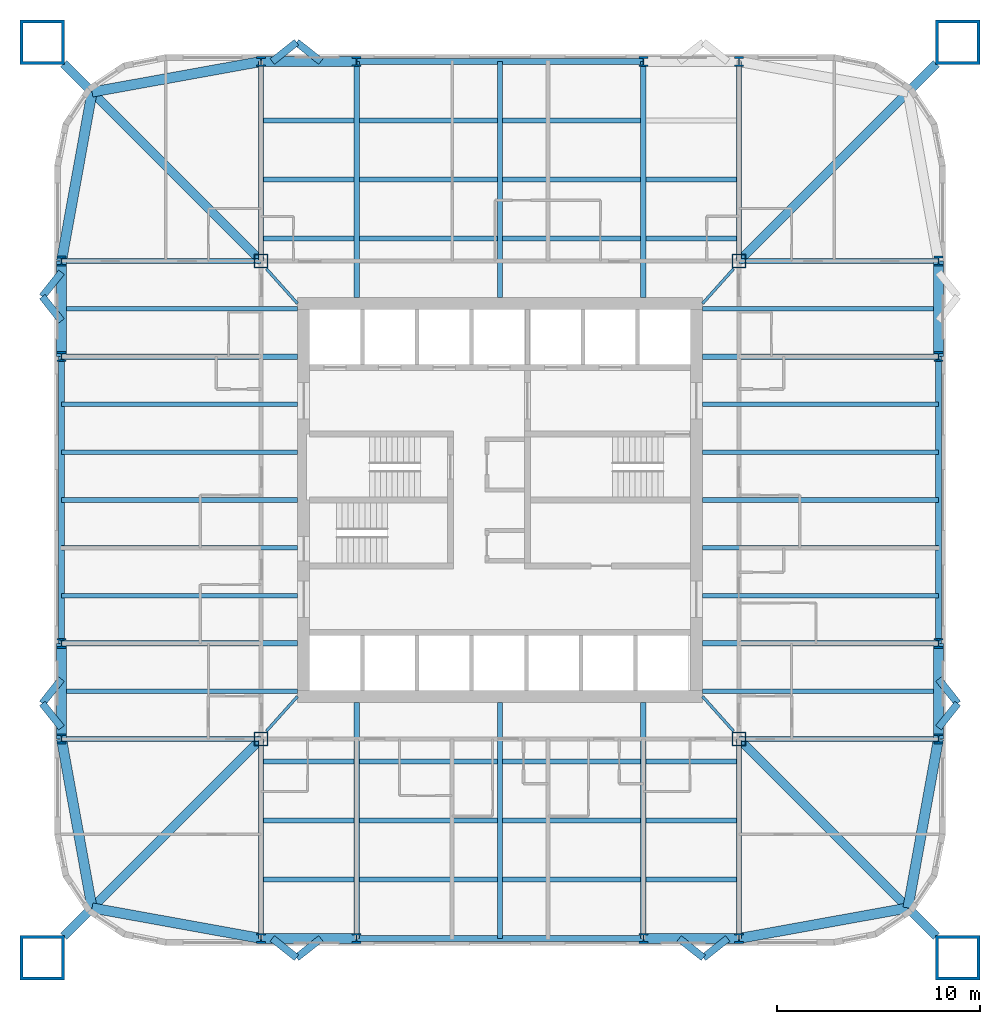
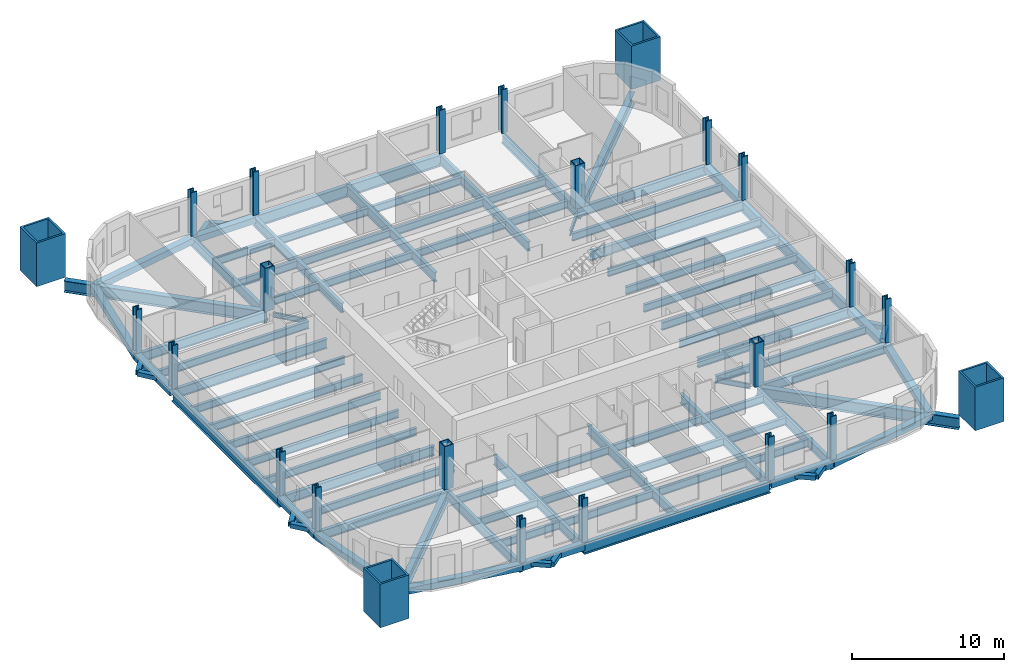
# One storey, part 1 of 10: 92 beams, 24 columns.
"""IFC4 building model written with IfcOpenShell, lengths in metres."""

from ifc_helpers import new_model, si_unit, direction, frame, origin, origin_2d, place, context, subcontext, project, spatial, hollow_rectangle, i_section, extrude, material, material_profile, profile_set, type_object, element, save


model = new_model("IFC4")

# Units and contexts
model_context = context("Model", 3, precision=1e-05, world=origin(), true_north=direction((0.0, 1.0)))
body_context = subcontext(model_context, "Body", "Model", "MODEL_VIEW")
ifc_project = project(units=[si_unit("LENGTHUNIT", "METRE"), si_unit("AREAUNIT", "SQUARE_METRE"), si_unit("VOLUMEUNIT", "CUBIC_METRE"), si_unit("PLANEANGLEUNIT", "RADIAN"), si_unit("MASSUNIT", "GRAM", prefix="KILO")], contexts=[model_context])

# Site, building, storey
site_placement = place(None, origin())
site = spatial("IfcSite", under=ifc_project, at=site_placement, CompositionType="ELEMENT")
building_placement = place(site_placement, origin())
building = spatial("IfcBuilding", under=site, at=building_placement, Name="Turquesa Mirador Hotel Tower", CompositionType="ELEMENT")
storey_placement = place(building_placement, frame((0.0, 0.0, 70.5)))
storey = spatial("IfcBuildingStorey", under=building, at=storey_placement, Name="L18", CompositionType="ELEMENT", Elevation=70.5)

# Columns
ifc_material_1 = material(Name="Steel ASTM A572 Grade 50", Category="steel")
ifc_material_profile_1 = material_profile(ifc_material_1, hollow_rectangle(XDim=0.699951171875, YDim=0.699951171875, WallThickness=0.06005859375, at=origin_2d()), Name="BOX700X700X60")
ifc_profile_set_1 = profile_set([ifc_material_profile_1], Name="Steel ASTM A572 Grade 50")
column_type_1 = type_object("IfcColumnType", Name="COLUMN BOX700X700X60", PredefinedType="COLUMN", material=ifc_profile_set_1)
for number, where, z_axis, x_axis, name in (
    (1, (43.199951171875, 33.199951171875, 0.0), (0.0, 0.0, 1.0), (1.0, 0.0, 0.0), "COL-L18-K--11.80--11.80"),
    (2, (43.199951171875, 56.800048828125, 0.0), (0.0, 0.0, 1.0), (1.0, 0.0, 0.0), "COL-L18-K--11.80-+11.80"),
    (3, (66.800048828125, 33.199951171875, 0.0), (0.0, 0.0, 1.0), (1.0, 0.0, 0.0), "COL-L18-K-+11.80--11.80"),
    (4, (66.800048828125, 56.800048828125, 0.0), (0.0, 0.0, 1.0), (1.0, 0.0, 0.0), "COL-L18-K-+11.80-+11.80"),
):
    element("IfcColumn", number, at=place(storey_placement, frame(where, z_axis=z_axis, x_axis=x_axis)), inside=storey, type_object=column_type_1, Name=name, PredefinedType="COLUMN", context=body_context, shape_type="SweptSolid", body=[
        extrude(hollow_rectangle(XDim=0.699951171875, YDim=0.699951171875, WallThickness=0.06005859375, at=origin_2d()), origin(), (0.0, 0.0, 1.0), 3.5),
    ])
ifc_material_2 = material(Name="Steel ASTM A992 Grade 50", Category="steel")
ifc_material_profile_2 = material_profile(ifc_material_2, i_section(OverallWidth=0.431884765625, OverallDepth=0.497802734375, WebThickness=0.0556640625, FlangeThickness=0.0888671875, at=origin_2d()), Name="W14X500")
ifc_profile_set_2 = profile_set([ifc_material_profile_2], Name="Steel ASTM A992 Grade 50")
column_type_2 = type_object("IfcColumnType", Name="COLUMN W14X500", PredefinedType="COLUMN", material=ifc_profile_set_2)
for number, where, z_axis, x_axis, name in (
    (5, (33.35009765625, 33.199951171875, 0.0), (0.0, 0.0, 1.0), (1.0, 0.0, 0.0), "COL-L18-P--21.65--11.80"),
    (6, (33.35009765625, 37.919921875, 0.0), (0.0, 0.0, 1.0), (1.0, 0.0, 0.0), "COL-L18-P--21.65--7.08"),
    (7, (33.35009765625, 52.080078125, 0.0), (0.0, 0.0, 1.0), (1.0, 0.0, 0.0), "COL-L18-P--21.65-+7.08"),
    (8, (33.35009765625, 56.800048828125, 0.0), (0.0, 0.0, 1.0), (1.0, 0.0, 0.0), "COL-L18-P--21.65-+11.80"),
    (9, (43.199951171875, 23.35009765625, 0.0), (0.0, 0.0, 1.0), (1.0, 0.0, 0.0), "COL-L18-P--11.80--21.65"),
    (10, (43.199951171875, 66.64990234375, 0.0), (0.0, 0.0, 1.0), (1.0, 0.0, 0.0), "COL-L18-P--11.80-+21.65"),
    (11, (47.919921875, 23.35009765625, 0.0), (0.0, 0.0, 1.0), (1.0, 0.0, 0.0), "COL-L18-P--7.08--21.65"),
    (12, (47.919921875, 66.64990234375, 0.0), (0.0, 0.0, 1.0), (1.0, 0.0, 0.0), "COL-L18-P--7.08-+21.65"),
    (13, (62.080078125, 23.35009765625, 0.0), (0.0, 0.0, 1.0), (1.0, 0.0, 0.0), "COL-L18-P-+7.08--21.65"),
    (14, (62.080078125, 66.64990234375, 0.0), (0.0, 0.0, 1.0), (1.0, 0.0, 0.0), "COL-L18-P-+7.08-+21.65"),
    (15, (66.800048828125, 23.35009765625, 0.0), (0.0, 0.0, 1.0), (1.0, 0.0, 0.0), "COL-L18-P-+11.80--21.65"),
    (16, (66.800048828125, 66.64990234375, 0.0), (0.0, 0.0, 1.0), (1.0, 0.0, 0.0), "COL-L18-P-+11.80-+21.65"),
    (17, (76.64990234375, 33.199951171875, 0.0), (0.0, 0.0, 1.0), (1.0, 0.0, 0.0), "COL-L18-P-+21.65--11.80"),
    (18, (76.64990234375, 37.919921875, 0.0), (0.0, 0.0, 1.0), (1.0, 0.0, 0.0), "COL-L18-P-+21.65--7.08"),
    (19, (76.64990234375, 52.080078125, 0.0), (0.0, 0.0, 1.0), (1.0, 0.0, 0.0), "COL-L18-P-+21.65-+7.08"),
    (20, (76.64990234375, 56.800048828125, 0.0), (0.0, 0.0, 1.0), (1.0, 0.0, 0.0), "COL-L18-P-+21.65-+11.80"),
):
    element("IfcColumn", number, at=place(storey_placement, frame(where, z_axis=z_axis, x_axis=x_axis)), inside=storey, type_object=column_type_2, Name=name, PredefinedType="COLUMN", context=body_context, shape_type="SweptSolid", body=[
        extrude(i_section(OverallWidth=0.431884765625, OverallDepth=0.497802734375, WebThickness=0.0556640625, FlangeThickness=0.0888671875, at=origin_2d()), origin(), (0.0, 0.0, 1.0), 3.5),
    ])
ifc_material_3 = material(Name="Steel ASTM A514 Grade Q", Category="steel")
ifc_material_profile_3 = material_profile(ifc_material_3, hollow_rectangle(XDim=2.199951171875, YDim=2.199951171875, WallThickness=0.14990234375, at=origin_2d()), Name="BOX2200X2200X150")
ifc_profile_set_3 = profile_set([ifc_material_profile_3], Name="Steel ASTM A514 Grade Q")
column_type_3 = type_object("IfcColumnType", Name="MEGA COLUMN BOX2200X2200X150", PredefinedType="COLUMN", material=ifc_profile_set_3)
for number, where, z_axis, x_axis, name in (
    (21, (77.60009765625, 67.60009765625, 0.0), (0.0, 0.0, 1.0), (1.0, 0.0, 0.0), "Mega column M1"),
    (22, (32.39990234375, 67.60009765625, 0.0), (0.0, 0.0, 1.0), (1.0, 0.0, 0.0), "Mega column M2"),
    (23, (32.39990234375, 22.39990234375, 0.0), (0.0, 0.0, 1.0), (1.0, 0.0, 0.0), "Mega column M3"),
    (24, (77.60009765625, 22.39990234375, 0.0), (0.0, 0.0, 1.0), (1.0, 0.0, 0.0), "Mega column M4"),
):
    element("IfcColumn", number, at=place(storey_placement, frame(where, z_axis=z_axis, x_axis=x_axis)), inside=storey, type_object=column_type_3, Name=name, PredefinedType="COLUMN", context=body_context, shape_type="SweptSolid", body=[
        extrude(hollow_rectangle(XDim=2.199951171875, YDim=2.199951171875, WallThickness=0.14990234375, at=origin_2d()), origin(), (0.0, 0.0, 1.0), 3.5),
    ])

# Beams
ifc_material_4 = material(Name="Steel ASTM A572 Grade 50", Category="steel")
ifc_material_profile_4 = material_profile(ifc_material_4, hollow_rectangle(XDim=0.5, YDim=0.5, WallThickness=0.01611328125, at=origin_2d()), Name="BOX500X500X16")
ifc_profile_set_4 = profile_set([ifc_material_profile_4], Name="Steel ASTM A572 Grade 50")
beam_type_1 = type_object("IfcBeamType", Name="BEAM BOX500X500X16", PredefinedType="BEAM", material=ifc_profile_set_4)
for number, where, z_axis, x_axis, name in (
    (25, (43.199951171875, 66.64990234375, -0.419921875), (1.0, 0.0, 0.0), (0.0, 1.0, 0.0), "EB-L18-N-L"),
    (26, (43.199951171875, 23.35009765625, -0.419921875), (1.0, 0.0, 0.0), (0.0, 1.0, 0.0), "EB-L18-S-L"),
    (27, (62.080078125, 23.35009765625, -0.419921875), (1.0, 0.0, 0.0), (0.0, 1.0, 0.0), "EB-L18-S-R"),
    (28, (76.64990234375, 33.199951171875, -0.419921875), (0.0, 1.0, 0.0), (-1.0, 0.0, 0.0), "EB-L18-E-L"),
    (29, (76.64990234375, 52.080078125, -0.419921875), (0.0, 1.0, 0.0), (-1.0, 0.0, 0.0), "EB-L18-E-R"),
    (30, (33.35009765625, 33.199951171875, -0.419921875), (0.0, 1.0, 0.0), (-1.0, 0.0, 0.0), "EB-L18-W-L"),
    (31, (33.35009765625, 52.080078125, -0.419921875), (0.0, 1.0, 0.0), (-1.0, 0.0, 0.0), "EB-L18-W-R"),
):
    element("IfcBeam", number, at=place(storey_placement, frame(where, z_axis=z_axis, x_axis=x_axis)), inside=storey, type_object=beam_type_1, Name=name, PredefinedType="BEAM", context=body_context, shape_type="SweptSolid", body=[
        extrude(hollow_rectangle(XDim=0.5, YDim=0.5, WallThickness=0.01611328125, at=origin_2d()), origin(), (0.0, 0.0, 1.0), 4.719970703125),
    ])
for number, where, z_axis, x_axis, name in (
    (32, (33.35009765625, 56.800048828125, -0.419921875), (0.177932387818, 0.984042715214, 0.0), (-0.984042715214, 0.177932387818, 0.0), "KE-L18-2-0"),
    (33, (34.8583984375, 65.1416015625, -0.419921875), (0.984042715214, 0.177932387818, 0.0), (-0.177932387818, 0.984042715214, 0.0), "KE-L18-2-1"),
    (34, (33.35009765625, 33.199951171875, -0.419921875), (0.177932387818, -0.984042715214, 0.0), (0.984042715214, 0.177932387818, 0.0), "KE-L18-3-0"),
    (35, (34.8583984375, 24.8583984375, -0.419921875), (0.984042715214, -0.177932387818, 0.0), (0.177932387818, 0.984042715214, 0.0), "KE-L18-3-1"),
    (36, (76.64990234375, 33.199951171875, -0.419921875), (-0.177932387818, -0.984042715214, 0.0), (0.984042715214, -0.177932387818, 0.0), "KE-L18-4-0"),
    (37, (75.1416015625, 24.8583984375, -0.419921875), (-0.984042715214, -0.177932387818, 0.0), (0.177932387818, -0.984042715214, 0.0), "KE-L18-4-1"),
):
    element("IfcBeam", number, at=place(storey_placement, frame(where, z_axis=z_axis, x_axis=x_axis)), inside=storey, type_object=beam_type_1, Name=name, PredefinedType="BEAM", context=body_context, shape_type="SweptSolid", body=[
        extrude(hollow_rectangle(XDim=0.5, YDim=0.5, WallThickness=0.01611328125, at=origin_2d()), origin(), (0.0, 0.0, 1.0), 8.476806640625),
    ])
ifc_material_5 = material(Name="Steel ASTM A992 Grade 50", Category="steel")
ifc_material_profile_5 = material_profile(ifc_material_5, i_section(OverallWidth=0.140380859375, OverallDepth=0.40380859375, WebThickness=0.007080078125, FlangeThickness=0.01123046875, at=origin_2d()), Name="W16X31")
ifc_profile_set_5 = profile_set([ifc_material_profile_5], Name="Steel ASTM A992 Grade 50")
beam_type_2 = type_object("IfcBeamType", Name="BEAM W16X31", PredefinedType="BEAM", material=ifc_profile_set_5)
for number, where, z_axis, x_axis, name in (
    (38, (66.529541015625, 56.40966796875, -0.371826171875), (-0.666745084392, -0.745285846129, 0.0), (0.745285846129, -0.666745084392, 0.0), "KT-L18-1"),
    (39, (43.470458984375, 56.40966796875, -0.371826171875), (0.666745084392, -0.745285846129, 0.0), (0.745285846129, 0.666745084392, 0.0), "KT-L18-2"),
    (40, (43.470458984375, 33.59033203125, -0.371826171875), (0.666745084392, 0.745285846129, 0.0), (-0.745285846129, 0.666745084392, 0.0), "KT-L18-3"),
    (41, (66.529541015625, 33.59033203125, -0.371826171875), (-0.666745084392, 0.745285846129, 0.0), (-0.745285846129, -0.666745084392, 0.0), "KT-L18-4"),
):
    element("IfcBeam", number, at=place(storey_placement, frame(where, z_axis=z_axis, x_axis=x_axis)), inside=storey, type_object=beam_type_2, Name=name, PredefinedType="BEAM", context=body_context, shape_type="SweptSolid", body=[
        extrude(i_section(OverallWidth=0.140380859375, OverallDepth=0.40380859375, WebThickness=0.007080078125, FlangeThickness=0.01123046875, at=origin_2d()), origin(), (0.0, 0.0, 1.0), 2.2939453125),
    ])
ifc_material_6 = material(Name="Steel ASTM A992 Grade 50", Category="steel")
ifc_material_profile_6 = material_profile(ifc_material_6, i_section(OverallWidth=0.228271484375, OverallDepth=0.607177734375, WebThickness=0.01123046875, FlangeThickness=0.017333984375, at=origin_2d()), Name="W24X76")
ifc_profile_set_6 = profile_set([ifc_material_profile_6], Name="Steel ASTM A992 Grade 50")
beam_type_3 = type_object("IfcBeamType", Name="BEAM W24X76", PredefinedType="BEAM", material=ifc_profile_set_6)
beam_1_placement = place(storey_placement, frame((43.333251953125, 57.912109375, -0.4736328125), z_axis=(1.0, 0.0, 0.0), x_axis=(0.0, 1.0, 0.0)))
element("IfcBeam", 42, at=beam_1_placement, inside=storey, type_object=beam_type_3, Name="IB-L18-N-1-0", PredefinedType="BEAM", context=body_context, shape_type="SweptSolid", body=[
    extrude(i_section(OverallWidth=0.228271484375, OverallDepth=0.607177734375, WebThickness=0.01123046875, FlangeThickness=0.017333984375, at=origin_2d()), origin(), (0.0, 0.0, 1.0), 4.453369140625),
])
for number, where, z_axis, x_axis, name in (
    (43, (48.053466796875, 57.912109375, -0.4736328125), (1.0, 0.0, 0.0), (0.0, 1.0, 0.0), "IB-L18-N-1-1"),
    (44, (55.13330078125, 57.912109375, -0.4736328125), (1.0, 0.0, 0.0), (0.0, 1.0, 0.0), "IB-L18-N-1-2"),
):
    element("IfcBeam", number, at=place(storey_placement, frame(where, z_axis=z_axis, x_axis=x_axis)), inside=storey, type_object=beam_type_3, Name=name, PredefinedType="BEAM", context=body_context, shape_type="SweptSolid", body=[
        extrude(i_section(OverallWidth=0.228271484375, OverallDepth=0.607177734375, WebThickness=0.01123046875, FlangeThickness=0.017333984375, at=origin_2d()), origin(), (0.0, 0.0, 1.0), 6.813232421875),
    ])
for number, where, z_axis, x_axis, name in (
    (45, (62.21337890625, 57.912109375, -0.4736328125), (1.0, 0.0, 0.0), (0.0, 1.0, 0.0), "IB-L18-N-1-3"),
    (46, (43.333251953125, 60.824951171875, -0.4736328125), (1.0, 0.0, 0.0), (0.0, 1.0, 0.0), "IB-L18-N-2-0"),
):
    element("IfcBeam", number, at=place(storey_placement, frame(where, z_axis=z_axis, x_axis=x_axis)), inside=storey, type_object=beam_type_3, Name=name, PredefinedType="BEAM", context=body_context, shape_type="SweptSolid", body=[
        extrude(i_section(OverallWidth=0.228271484375, OverallDepth=0.607177734375, WebThickness=0.01123046875, FlangeThickness=0.017333984375, at=origin_2d()), origin(), (0.0, 0.0, 1.0), 4.453369140625),
    ])
for number, where, z_axis, x_axis, name in (
    (47, (48.053466796875, 60.824951171875, -0.4736328125), (1.0, 0.0, 0.0), (0.0, 1.0, 0.0), "IB-L18-N-2-1"),
    (48, (55.13330078125, 60.824951171875, -0.4736328125), (1.0, 0.0, 0.0), (0.0, 1.0, 0.0), "IB-L18-N-2-2"),
):
    element("IfcBeam", number, at=place(storey_placement, frame(where, z_axis=z_axis, x_axis=x_axis)), inside=storey, type_object=beam_type_3, Name=name, PredefinedType="BEAM", context=body_context, shape_type="SweptSolid", body=[
        extrude(i_section(OverallWidth=0.228271484375, OverallDepth=0.607177734375, WebThickness=0.01123046875, FlangeThickness=0.017333984375, at=origin_2d()), origin(), (0.0, 0.0, 1.0), 6.813232421875),
    ])
for number, where, z_axis, x_axis, name in (
    (49, (62.21337890625, 60.824951171875, -0.4736328125), (1.0, 0.0, 0.0), (0.0, 1.0, 0.0), "IB-L18-N-2-3"),
    (50, (43.333251953125, 63.737060546875, -0.4736328125), (1.0, 0.0, 0.0), (0.0, 1.0, 0.0), "IB-L18-N-3-0"),
):
    element("IfcBeam", number, at=place(storey_placement, frame(where, z_axis=z_axis, x_axis=x_axis)), inside=storey, type_object=beam_type_3, Name=name, PredefinedType="BEAM", context=body_context, shape_type="SweptSolid", body=[
        extrude(i_section(OverallWidth=0.228271484375, OverallDepth=0.607177734375, WebThickness=0.01123046875, FlangeThickness=0.017333984375, at=origin_2d()), origin(), (0.0, 0.0, 1.0), 4.453369140625),
    ])
for number, where, z_axis, x_axis, name in (
    (51, (48.053466796875, 63.737060546875, -0.4736328125), (1.0, 0.0, 0.0), (0.0, 1.0, 0.0), "IB-L18-N-3-1"),
    (52, (55.13330078125, 63.737060546875, -0.4736328125), (1.0, 0.0, 0.0), (0.0, 1.0, 0.0), "IB-L18-N-3-2"),
):
    element("IfcBeam", number, at=place(storey_placement, frame(where, z_axis=z_axis, x_axis=x_axis)), inside=storey, type_object=beam_type_3, Name=name, PredefinedType="BEAM", context=body_context, shape_type="SweptSolid", body=[
        extrude(i_section(OverallWidth=0.228271484375, OverallDepth=0.607177734375, WebThickness=0.01123046875, FlangeThickness=0.017333984375, at=origin_2d()), origin(), (0.0, 0.0, 1.0), 6.813232421875),
    ])
beam_2_placement = place(storey_placement, frame((43.333251953125, 32.087890625, -0.4736328125), z_axis=(1.0, 0.0, 0.0), x_axis=(0.0, 1.0, 0.0)))
element("IfcBeam", 53, at=beam_2_placement, inside=storey, type_object=beam_type_3, Name="IB-L18-S-1-0", PredefinedType="BEAM", context=body_context, shape_type="SweptSolid", body=[
    extrude(i_section(OverallWidth=0.228271484375, OverallDepth=0.607177734375, WebThickness=0.01123046875, FlangeThickness=0.017333984375, at=origin_2d()), origin(), (0.0, 0.0, 1.0), 4.453369140625),
])
for number, where, z_axis, x_axis, name in (
    (54, (48.053466796875, 32.087890625, -0.4736328125), (1.0, 0.0, 0.0), (0.0, 1.0, 0.0), "IB-L18-S-1-1"),
    (55, (55.13330078125, 32.087890625, -0.4736328125), (1.0, 0.0, 0.0), (0.0, 1.0, 0.0), "IB-L18-S-1-2"),
):
    element("IfcBeam", number, at=place(storey_placement, frame(where, z_axis=z_axis, x_axis=x_axis)), inside=storey, type_object=beam_type_3, Name=name, PredefinedType="BEAM", context=body_context, shape_type="SweptSolid", body=[
        extrude(i_section(OverallWidth=0.228271484375, OverallDepth=0.607177734375, WebThickness=0.01123046875, FlangeThickness=0.017333984375, at=origin_2d()), origin(), (0.0, 0.0, 1.0), 6.813232421875),
    ])
for number, where, z_axis, x_axis, name in (
    (56, (62.21337890625, 32.087890625, -0.4736328125), (1.0, 0.0, 0.0), (0.0, 1.0, 0.0), "IB-L18-S-1-3"),
    (57, (43.333251953125, 29.175048828125, -0.4736328125), (1.0, 0.0, 0.0), (0.0, 1.0, 0.0), "IB-L18-S-2-0"),
):
    element("IfcBeam", number, at=place(storey_placement, frame(where, z_axis=z_axis, x_axis=x_axis)), inside=storey, type_object=beam_type_3, Name=name, PredefinedType="BEAM", context=body_context, shape_type="SweptSolid", body=[
        extrude(i_section(OverallWidth=0.228271484375, OverallDepth=0.607177734375, WebThickness=0.01123046875, FlangeThickness=0.017333984375, at=origin_2d()), origin(), (0.0, 0.0, 1.0), 4.453369140625),
    ])
for number, where, z_axis, x_axis, name in (
    (58, (48.053466796875, 29.175048828125, -0.4736328125), (1.0, 0.0, 0.0), (0.0, 1.0, 0.0), "IB-L18-S-2-1"),
    (59, (55.13330078125, 29.175048828125, -0.4736328125), (1.0, 0.0, 0.0), (0.0, 1.0, 0.0), "IB-L18-S-2-2"),
):
    element("IfcBeam", number, at=place(storey_placement, frame(where, z_axis=z_axis, x_axis=x_axis)), inside=storey, type_object=beam_type_3, Name=name, PredefinedType="BEAM", context=body_context, shape_type="SweptSolid", body=[
        extrude(i_section(OverallWidth=0.228271484375, OverallDepth=0.607177734375, WebThickness=0.01123046875, FlangeThickness=0.017333984375, at=origin_2d()), origin(), (0.0, 0.0, 1.0), 6.813232421875),
    ])
for number, where, z_axis, x_axis, name in (
    (60, (62.21337890625, 29.175048828125, -0.4736328125), (1.0, 0.0, 0.0), (0.0, 1.0, 0.0), "IB-L18-S-2-3"),
    (61, (43.333251953125, 26.262939453125, -0.4736328125), (1.0, 0.0, 0.0), (0.0, 1.0, 0.0), "IB-L18-S-3-0"),
):
    element("IfcBeam", number, at=place(storey_placement, frame(where, z_axis=z_axis, x_axis=x_axis)), inside=storey, type_object=beam_type_3, Name=name, PredefinedType="BEAM", context=body_context, shape_type="SweptSolid", body=[
        extrude(i_section(OverallWidth=0.228271484375, OverallDepth=0.607177734375, WebThickness=0.01123046875, FlangeThickness=0.017333984375, at=origin_2d()), origin(), (0.0, 0.0, 1.0), 4.453369140625),
    ])
for number, where, z_axis, x_axis, name in (
    (62, (48.053466796875, 26.262939453125, -0.4736328125), (1.0, 0.0, 0.0), (0.0, 1.0, 0.0), "IB-L18-S-3-1"),
    (63, (55.13330078125, 26.262939453125, -0.4736328125), (1.0, 0.0, 0.0), (0.0, 1.0, 0.0), "IB-L18-S-3-2"),
):
    element("IfcBeam", number, at=place(storey_placement, frame(where, z_axis=z_axis, x_axis=x_axis)), inside=storey, type_object=beam_type_3, Name=name, PredefinedType="BEAM", context=body_context, shape_type="SweptSolid", body=[
        extrude(i_section(OverallWidth=0.228271484375, OverallDepth=0.607177734375, WebThickness=0.01123046875, FlangeThickness=0.017333984375, at=origin_2d()), origin(), (0.0, 0.0, 1.0), 6.813232421875),
    ])
beam_3_placement = place(storey_placement, frame((62.21337890625, 26.262939453125, -0.4736328125), z_axis=(1.0, 0.0, 0.0), x_axis=(0.0, 1.0, 0.0)))
element("IfcBeam", 64, at=beam_3_placement, inside=storey, type_object=beam_type_3, Name="IB-L18-S-3-3", PredefinedType="BEAM", context=body_context, shape_type="SweptSolid", body=[
    extrude(i_section(OverallWidth=0.228271484375, OverallDepth=0.607177734375, WebThickness=0.01123046875, FlangeThickness=0.017333984375, at=origin_2d()), origin(), (0.0, 0.0, 1.0), 4.453369140625),
])
for number, where, z_axis, x_axis, name in (
    (65, (76.64990234375, 35.56005859375, -0.4736328125), (-1.0, 0.0, 0.0), (0.0, -1.0, 0.0), "BM-L18-E--9.44"),
    (66, (76.64990234375, 40.280029296875, -0.4736328125), (-1.0, 0.0, 0.0), (0.0, -1.0, 0.0), "BM-L18-E--4.72"),
    (67, (76.64990234375, 42.639892578125, -0.4736328125), (-1.0, 0.0, 0.0), (0.0, -1.0, 0.0), "BM-L18-E--2.36"),
    (68, (76.64990234375, 45.0, -0.4736328125), (-1.0, 0.0, 0.0), (0.0, -1.0, 0.0), "BM-L18-E-+0.00"),
    (69, (76.64990234375, 47.360107421875, -0.4736328125), (-1.0, 0.0, 0.0), (0.0, -1.0, 0.0), "BM-L18-E-+2.36"),
    (70, (76.64990234375, 49.719970703125, -0.4736328125), (-1.0, 0.0, 0.0), (0.0, -1.0, 0.0), "BM-L18-E-+4.72"),
    (71, (76.64990234375, 54.43994140625, -0.4736328125), (-1.0, 0.0, 0.0), (0.0, -1.0, 0.0), "BM-L18-E-+9.44"),
    (72, (33.35009765625, 35.56005859375, -0.4736328125), (1.0, 0.0, 0.0), (0.0, 1.0, 0.0), "BM-L18-W--9.44"),
    (73, (33.35009765625, 40.280029296875, -0.4736328125), (1.0, 0.0, 0.0), (0.0, 1.0, 0.0), "BM-L18-W--4.72"),
    (74, (33.35009765625, 42.639892578125, -0.4736328125), (1.0, 0.0, 0.0), (0.0, 1.0, 0.0), "BM-L18-W--2.36"),
    (75, (33.35009765625, 45.0, -0.4736328125), (1.0, 0.0, 0.0), (0.0, 1.0, 0.0), "BM-L18-W-+0.00"),
    (76, (33.35009765625, 47.360107421875, -0.4736328125), (1.0, 0.0, 0.0), (0.0, 1.0, 0.0), "BM-L18-W-+2.36"),
    (77, (33.35009765625, 49.719970703125, -0.4736328125), (1.0, 0.0, 0.0), (0.0, 1.0, 0.0), "BM-L18-W-+4.72"),
    (78, (33.35009765625, 54.43994140625, -0.4736328125), (1.0, 0.0, 0.0), (0.0, 1.0, 0.0), "BM-L18-W-+9.44"),
):
    element("IfcBeam", number, at=place(storey_placement, frame(where, z_axis=z_axis, x_axis=x_axis)), inside=storey, type_object=beam_type_3, Name=name, PredefinedType="BEAM", context=body_context, shape_type="SweptSolid", body=[
        extrude(i_section(OverallWidth=0.228271484375, OverallDepth=0.607177734375, WebThickness=0.01123046875, FlangeThickness=0.017333984375, at=origin_2d()), origin(), (0.0, 0.0, 1.0), 11.64990234375),
    ])
ifc_material_7 = material(Name="Steel ASTM A992 Grade 50", Category="steel")
ifc_material_profile_7 = material_profile(ifc_material_7, i_section(OverallWidth=0.2666015625, OverallDepth=0.7568359375, WebThickness=0.013916015625, FlangeThickness=0.019287109375, at=origin_2d()), Name="W30X108")
ifc_profile_set_7 = profile_set([ifc_material_profile_7], Name="Steel ASTM A992 Grade 50")
beam_type_4 = type_object("IfcBeamType", Name="BEAM W30X108", PredefinedType="BEAM", material=ifc_profile_set_7)
for number, where, z_axis, x_axis, name in (
    (79, (47.919921875, 66.64990234375, -0.54833984375), (0.0, -1.0, 0.0), (1.0, 0.0, 0.0), "GD-L18-N--7.08"),
    (80, (62.080078125, 66.64990234375, -0.54833984375), (0.0, -1.0, 0.0), (1.0, 0.0, 0.0), "GD-L18-N-+7.08"),
    (81, (55.0, 66.64990234375, -0.54833984375), (0.0, -1.0, 0.0), (1.0, 0.0, 0.0), "GD-L18-N-+0.00"),
):
    element("IfcBeam", number, at=place(storey_placement, frame(where, z_axis=z_axis, x_axis=x_axis)), inside=storey, type_object=beam_type_4, Name=name, PredefinedType="BEAM", context=body_context, shape_type="SweptSolid", body=[
        extrude(i_section(OverallWidth=0.2666015625, OverallDepth=0.7568359375, WebThickness=0.013916015625, FlangeThickness=0.019287109375, at=origin_2d()), origin(), (0.0, 0.0, 1.0), 11.64990234375),
    ])
for number, where, z_axis, x_axis, name in (
    (82, (43.199951171875, 66.64990234375, -0.54833984375), (0.0, -1.0, 0.0), (1.0, 0.0, 0.0), "GK-L18-N--11.80"),
    (83, (66.800048828125, 66.64990234375, -0.54833984375), (0.0, -1.0, 0.0), (1.0, 0.0, 0.0), "GK-L18-N-+11.80"),
):
    element("IfcBeam", number, at=place(storey_placement, frame(where, z_axis=z_axis, x_axis=x_axis)), inside=storey, type_object=beam_type_4, Name=name, PredefinedType="BEAM", context=body_context, shape_type="SweptSolid", body=[
        extrude(i_section(OverallWidth=0.2666015625, OverallDepth=0.7568359375, WebThickness=0.013916015625, FlangeThickness=0.019287109375, at=origin_2d()), origin(), (0.0, 0.0, 1.0), 9.849853515625),
    ])
for number, where, z_axis, x_axis, name in (
    (84, (47.919921875, 23.35009765625, -0.54833984375), (0.0, 1.0, 0.0), (-1.0, 0.0, 0.0), "GD-L18-S--7.08"),
    (85, (62.080078125, 23.35009765625, -0.54833984375), (0.0, 1.0, 0.0), (-1.0, 0.0, 0.0), "GD-L18-S-+7.08"),
    (86, (55.0, 23.35009765625, -0.54833984375), (0.0, 1.0, 0.0), (-1.0, 0.0, 0.0), "GD-L18-S-+0.00"),
):
    element("IfcBeam", number, at=place(storey_placement, frame(where, z_axis=z_axis, x_axis=x_axis)), inside=storey, type_object=beam_type_4, Name=name, PredefinedType="BEAM", context=body_context, shape_type="SweptSolid", body=[
        extrude(i_section(OverallWidth=0.2666015625, OverallDepth=0.7568359375, WebThickness=0.013916015625, FlangeThickness=0.019287109375, at=origin_2d()), origin(), (0.0, 0.0, 1.0), 11.64990234375),
    ])
for number, where, z_axis, x_axis, name in (
    (87, (43.199951171875, 23.35009765625, -0.54833984375), (0.0, 1.0, 0.0), (-1.0, 0.0, 0.0), "GK-L18-S--11.80"),
    (88, (66.800048828125, 23.35009765625, -0.54833984375), (0.0, 1.0, 0.0), (-1.0, 0.0, 0.0), "GK-L18-S-+11.80"),
):
    element("IfcBeam", number, at=place(storey_placement, frame(where, z_axis=z_axis, x_axis=x_axis)), inside=storey, type_object=beam_type_4, Name=name, PredefinedType="BEAM", context=body_context, shape_type="SweptSolid", body=[
        extrude(i_section(OverallWidth=0.2666015625, OverallDepth=0.7568359375, WebThickness=0.013916015625, FlangeThickness=0.019287109375, at=origin_2d()), origin(), (0.0, 0.0, 1.0), 9.849853515625),
    ])
for number, where, z_axis, x_axis, name in (
    (89, (76.64990234375, 37.919921875, -0.54833984375), (-1.0, 0.0, 0.0), (0.0, -1.0, 0.0), "GD-L18-E--7.08"),
    (90, (76.64990234375, 52.080078125, -0.54833984375), (-1.0, 0.0, 0.0), (0.0, -1.0, 0.0), "GD-L18-E-+7.08"),
):
    element("IfcBeam", number, at=place(storey_placement, frame(where, z_axis=z_axis, x_axis=x_axis)), inside=storey, type_object=beam_type_4, Name=name, PredefinedType="BEAM", context=body_context, shape_type="SweptSolid", body=[
        extrude(i_section(OverallWidth=0.2666015625, OverallDepth=0.7568359375, WebThickness=0.013916015625, FlangeThickness=0.019287109375, at=origin_2d()), origin(), (0.0, 0.0, 1.0), 11.64990234375),
    ])
for number, where, z_axis, x_axis, name in (
    (91, (76.64990234375, 33.199951171875, -0.54833984375), (-1.0, 0.0, 0.0), (0.0, -1.0, 0.0), "GK-L18-E--11.80"),
    (92, (76.64990234375, 56.800048828125, -0.54833984375), (-1.0, 0.0, 0.0), (0.0, -1.0, 0.0), "GK-L18-E-+11.80"),
):
    element("IfcBeam", number, at=place(storey_placement, frame(where, z_axis=z_axis, x_axis=x_axis)), inside=storey, type_object=beam_type_4, Name=name, PredefinedType="BEAM", context=body_context, shape_type="SweptSolid", body=[
        extrude(i_section(OverallWidth=0.2666015625, OverallDepth=0.7568359375, WebThickness=0.013916015625, FlangeThickness=0.019287109375, at=origin_2d()), origin(), (0.0, 0.0, 1.0), 9.849853515625),
    ])
for number, where, z_axis, x_axis, name in (
    (93, (33.35009765625, 37.919921875, -0.54833984375), (1.0, 0.0, 0.0), (0.0, 1.0, 0.0), "GD-L18-W--7.08"),
    (94, (33.35009765625, 52.080078125, -0.54833984375), (1.0, 0.0, 0.0), (0.0, 1.0, 0.0), "GD-L18-W-+7.08"),
):
    element("IfcBeam", number, at=place(storey_placement, frame(where, z_axis=z_axis, x_axis=x_axis)), inside=storey, type_object=beam_type_4, Name=name, PredefinedType="BEAM", context=body_context, shape_type="SweptSolid", body=[
        extrude(i_section(OverallWidth=0.2666015625, OverallDepth=0.7568359375, WebThickness=0.013916015625, FlangeThickness=0.019287109375, at=origin_2d()), origin(), (0.0, 0.0, 1.0), 11.64990234375),
    ])
for number, where, z_axis, x_axis, name in (
    (95, (33.35009765625, 33.199951171875, -0.54833984375), (1.0, 0.0, 0.0), (0.0, 1.0, 0.0), "GK-L18-W--11.80"),
    (96, (33.35009765625, 56.800048828125, -0.54833984375), (1.0, 0.0, 0.0), (0.0, 1.0, 0.0), "GK-L18-W-+11.80"),
):
    element("IfcBeam", number, at=place(storey_placement, frame(where, z_axis=z_axis, x_axis=x_axis)), inside=storey, type_object=beam_type_4, Name=name, PredefinedType="BEAM", context=body_context, shape_type="SweptSolid", body=[
        extrude(i_section(OverallWidth=0.2666015625, OverallDepth=0.7568359375, WebThickness=0.013916015625, FlangeThickness=0.019287109375, at=origin_2d()), origin(), (0.0, 0.0, 1.0), 9.849853515625),
    ])
ifc_material_8 = material(Name="Steel ASTM A992 Grade 50", Category="steel")
ifc_material_profile_8 = material_profile(ifc_material_8, i_section(OverallWidth=0.3046875, OverallDepth=0.911865234375, WebThickness=0.015869140625, FlangeThickness=0.02392578125, at=origin_2d()), Name="W36X150")
ifc_profile_set_8 = profile_set([ifc_material_profile_8], Name="Steel ASTM A992 Grade 50")
beam_type_5 = type_object("IfcBeamType", Name="BEAM W36X150", PredefinedType="BEAM", material=ifc_profile_set_8)
for number, where, z_axis, x_axis, name in (
    (97, (47.919921875, 66.64990234375, -0.6259765625), (1.0, 0.0, 0.0), (0.0, 1.0, 0.0), "EB-L18-N-C"),
    (98, (47.919921875, 23.35009765625, -0.6259765625), (1.0, 0.0, 0.0), (0.0, 1.0, 0.0), "EB-L18-S-C"),
    (99, (76.64990234375, 37.919921875, -0.6259765625), (0.0, 1.0, 0.0), (-1.0, 0.0, 0.0), "EB-L18-E-C"),
    (100, (33.35009765625, 37.919921875, -0.6259765625), (0.0, 1.0, 0.0), (-1.0, 0.0, 0.0), "EB-L18-W-C"),
):
    element("IfcBeam", number, at=place(storey_placement, frame(where, z_axis=z_axis, x_axis=x_axis)), inside=storey, type_object=beam_type_5, Name=name, PredefinedType="BEAM", context=body_context, shape_type="SweptSolid", body=[
        extrude(i_section(OverallWidth=0.3046875, OverallDepth=0.911865234375, WebThickness=0.015869140625, FlangeThickness=0.02392578125, at=origin_2d()), origin(), (0.0, 0.0, 1.0), 14.16015625),
    ])
ifc_material_9 = material(Name="Steel ASTM A992 Grade 50", Category="steel")
ifc_material_profile_9 = material_profile(ifc_material_9, i_section(OverallWidth=0.419189453125, OverallDepth=0.927001953125, WebThickness=0.019287109375, FlangeThickness=0.031982421875, at=origin_2d()), Name="W36X231")
ifc_profile_set_9 = profile_set([ifc_material_profile_9], Name="Steel ASTM A992 Grade 50")
beam_type_6 = type_object("IfcBeamType", Name="BEAM W36X231", PredefinedType="BEAM", material=ifc_profile_set_9)
for number, where, z_axis, x_axis, name in (
    (101, (66.800048828125, 56.800048828125, -0.633544921875), (0.707106781187, 0.707106781187, 0.0), (-0.707106781187, 0.707106781187, 0.0), "KD-L18-1"),
    (102, (43.199951171875, 56.800048828125, -0.633544921875), (-0.707106781187, 0.707106781187, 0.0), (-0.707106781187, -0.707106781187, 0.0), "KD-L18-2"),
    (103, (43.199951171875, 33.199951171875, -0.633544921875), (-0.707106781187, -0.707106781187, 0.0), (0.707106781187, -0.707106781187, 0.0), "KD-L18-3"),
    (104, (66.800048828125, 33.199951171875, -0.633544921875), (0.707106781187, -0.707106781187, 0.0), (0.707106781187, 0.707106781187, 0.0), "KD-L18-4"),
):
    element("IfcBeam", number, at=place(storey_placement, frame(where, z_axis=z_axis, x_axis=x_axis)), inside=storey, type_object=beam_type_6, Name=name, PredefinedType="BEAM", context=body_context, shape_type="SweptSolid", body=[
        extrude(i_section(OverallWidth=0.419189453125, OverallDepth=0.927001953125, WebThickness=0.019287109375, FlangeThickness=0.031982421875, at=origin_2d()), origin(), (0.0, 0.0, 1.0), 13.78857421875),
    ])
ifc_material_10 = material(Name="Steel ASTM A500 Grade C", Category="steel")
ifc_material_profile_10 = material_profile(ifc_material_10, hollow_rectangle(XDim=0.355712890625, YDim=0.355712890625, WallThickness=0.0146484375, at=origin_2d()), Name="HSS14X14X5/8")
ifc_profile_set_10 = profile_set([ifc_material_profile_10], Name="Steel ASTM A500 Grade C")
beam_type_7 = type_object("IfcBeamType", Name="BRACE STRUT HSS14X14X5/8", PredefinedType="BEAM", material=ifc_profile_set_10)
for number, where, z_axis, x_axis, name in (
    (105, (44.95556640625, 67.60009765625, -0.347900390625), (-0.783971428146, -0.620796907089, 0.0), (0.620796907089, -0.783971428146, 0.0), "Brace strut"),
    (106, (44.95556640625, 67.60009765625, -0.347900390625), (0.783971428146, -0.620796907089, 0.0), (0.620796907089, 0.783971428146, 0.0), "Brace strut"),
    (107, (65.04443359375, 22.39990234375, -0.347900390625), (-0.783971428146, 0.620796907089, 0.0), (-0.620796907089, -0.783971428146, 0.0), "Brace strut"),
    (108, (65.04443359375, 22.39990234375, -0.347900390625), (0.783971428146, 0.620796907089, 0.0), (-0.620796907089, 0.783971428146, 0.0), "Brace strut"),
    (109, (44.95556640625, 22.39990234375, -0.347900390625), (-0.783971428146, 0.620796907089, 0.0), (-0.620796907089, -0.783971428146, 0.0), "Brace strut"),
    (110, (44.95556640625, 22.39990234375, -0.347900390625), (0.783971428146, 0.620796907089, 0.0), (-0.620796907089, 0.783971428146, 0.0), "Brace strut"),
    (111, (77.60009765625, 34.95556640625, -0.347900390625), (-0.620796907089, -0.783971428146, 0.0), (0.783971428146, -0.620796907089, 0.0), "Brace strut"),
    (112, (77.60009765625, 34.95556640625, -0.347900390625), (-0.620796907089, 0.783971428146, 0.0), (-0.783971428146, -0.620796907089, 0.0), "Brace strut"),
    (113, (32.39990234375, 55.04443359375, -0.347900390625), (0.620796907089, -0.783971428146, 0.0), (0.783971428146, 0.620796907089, 0.0), "Brace strut"),
    (114, (32.39990234375, 55.04443359375, -0.347900390625), (0.620796907089, 0.783971428146, 0.0), (-0.783971428146, 0.620796907089, 0.0), "Brace strut"),
    (115, (32.39990234375, 34.95556640625, -0.347900390625), (0.620796907089, -0.783971428146, 0.0), (0.783971428146, 0.620796907089, 0.0), "Brace strut"),
    (116, (32.39990234375, 34.95556640625, -0.347900390625), (0.620796907089, 0.783971428146, 0.0), (-0.783971428146, 0.620796907089, 0.0), "Brace strut"),
):
    element("IfcBeam", number, at=place(storey_placement, frame(where, z_axis=z_axis, x_axis=x_axis)), inside=storey, type_object=beam_type_7, Name=name, PredefinedType="BEAM", context=body_context, shape_type="SweptSolid", body=[
        extrude(hollow_rectangle(XDim=0.355712890625, YDim=0.355712890625, WallThickness=0.0146484375, at=origin_2d()), origin(), (0.0, 0.0, 1.0), 1.530517578125),
    ])

save(model, "model.ifc")
